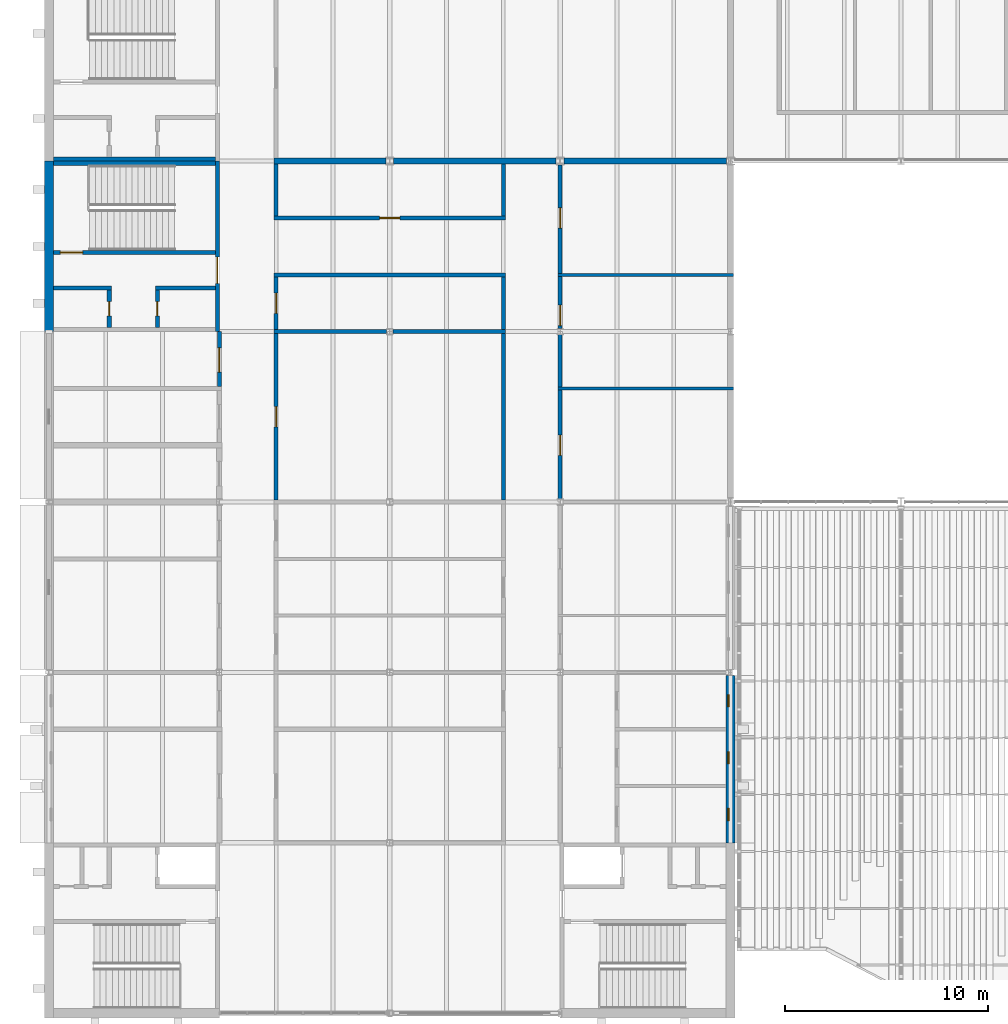
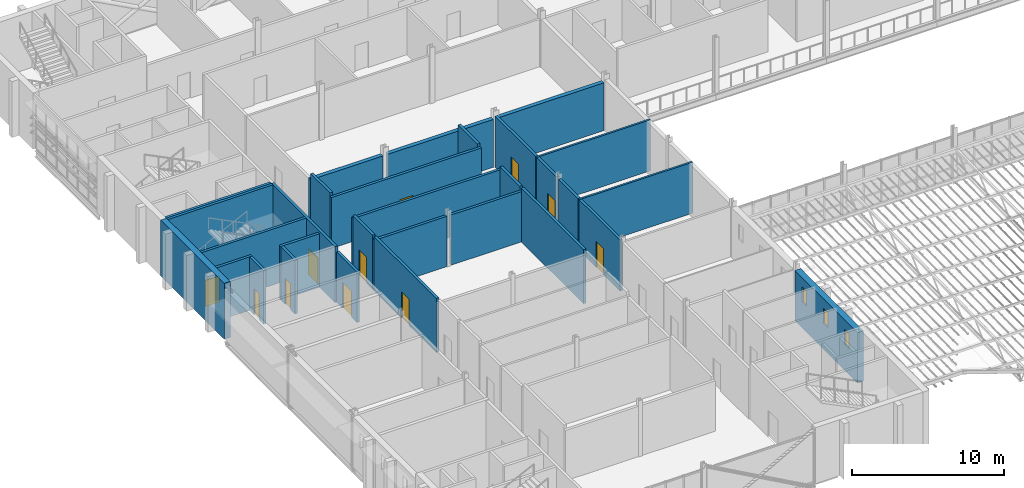
# One storey, part 86 of 129: 30 walls, 11 doors, 3 windows, 14 openings.
"""IFC4 building model written with IfcOpenShell, lengths in metres."""

from ifc_helpers import new_model, si_unit, direction, frame, frame_2d, origin, place, context, subcontext, project, spatial, rectangle, extrude, material, layer, layer_set, type_object, element, fill, save


model = new_model("IFC4")

# Units and contexts
model_context = context("Model", 3, precision=1e-05, world=origin(), true_north=direction((0.0, 1.0)))
body_context = subcontext(model_context, "Body", "Model", "MODEL_VIEW")
ifc_project = project(units=[si_unit("LENGTHUNIT", "METRE"), si_unit("AREAUNIT", "SQUARE_METRE"), si_unit("VOLUMEUNIT", "CUBIC_METRE"), si_unit("PLANEANGLEUNIT", "RADIAN"), si_unit("MASSUNIT", "GRAM", prefix="KILO")], contexts=[model_context])

# Site, building, storey
site_placement = place(None, origin())
site = spatial("IfcSite", under=ifc_project, at=site_placement, CompositionType="ELEMENT")
building_placement = place(site_placement, origin())
building = spatial("IfcBuilding", under=site, at=building_placement, Name="Ardhachandra Cancer Care Centre", CompositionType="ELEMENT")
storey_placement = place(building_placement, frame((0.0, 0.0, 4.5)))
storey = spatial("IfcBuildingStorey", under=building, at=storey_placement, Name="L01", CompositionType="ELEMENT", Elevation=4.5)

# Wall, openings, windows
ifc_material_1 = material(Name="Brick masonry (clay brick, cement mortar) with mineral wool cavity insulation", Category="masonry")
ifc_layer_1 = layer(ifc_material_1, 0.449951171875)
ifc_layer_set_1 = layer_set([ifc_layer_1], Name="Brick masonry (clay brick, cement mortar) with mineral wool cavity insulation")
wall_type_1 = type_object("IfcWallType", Name="Brick wall 450", PredefinedType="SOLIDWALL", material=ifc_layer_set_1)
wall_1_placement = place(storey_placement, frame((44.39990234375, 37.800048828125, 0.0), z_axis=(0.0, 0.0, 1.0), x_axis=(0.0, 1.0, 0.0)))
wall_1 = element("IfcWall", 1, at=wall_1_placement, inside=storey, type_object=wall_type_1, Name="E/wall/L01/e/0044400_0037800", PredefinedType="SOLIDWALL", context=body_context, shape_type="SweptSolid", body=[
    extrude(rectangle(XDim=8.2548828125, YDim=0.449951171875, at=frame_2d((4.12744140625, 0.0))), origin(), (0.0, 0.0, 1.0), 4.050048828125),
])
opening_1_placement = place(wall_1_placement, frame((1.10009765625, 0.0, 2.10009765625)))
opening_1 = element("IfcOpeningElement", 2, at=opening_1_placement, cuts=wall_1, Name="Opening W4", PredefinedType="OPENING", context=body_context, shape_type="SweptSolid", body=[
    extrude(rectangle(XDim=0.60009765625, YDim=1.199951171875, at=frame_2d((0.300048828125, 0.60009765625))), frame((0.0, 0.23486328125, 0.0), z_axis=(0.0, -1.0, 0.0), x_axis=(1.0, 0.0, 0.0)), (0.0, 0.0, 1.0), 0.469970703125),
])
opening_2_placement = place(wall_1_placement, frame((3.89990234375, 0.0, 2.10009765625)))
opening_2 = element("IfcOpeningElement", 3, at=opening_2_placement, cuts=wall_1, Name="Opening W4", PredefinedType="OPENING", context=body_context, shape_type="SweptSolid", body=[
    extrude(rectangle(XDim=0.60009765625, YDim=1.199951171875, at=frame_2d((0.300048828125, 0.60009765625))), frame((0.0, 0.23486328125, 0.0), z_axis=(0.0, -1.0, 0.0), x_axis=(1.0, 0.0, 0.0)), (0.0, 0.0, 1.0), 0.469970703125),
])
opening_3_placement = place(wall_1_placement, frame((6.699951171875, 0.0, 2.10009765625)))
opening_3 = element("IfcOpeningElement", 4, at=opening_3_placement, cuts=wall_1, Name="Opening W4", PredefinedType="OPENING", context=body_context, shape_type="SweptSolid", body=[
    extrude(rectangle(XDim=0.60009765625, YDim=1.199951171875, at=frame_2d((0.300048828125, 0.60009765625))), frame((0.0, 0.23486328125, 0.0), z_axis=(0.0, -1.0, 0.0), x_axis=(1.0, 0.0, 0.0)), (0.0, 0.0, 1.0), 0.469970703125),
])
ifc_material_2 = material(Name="Aluminium frame with double-glazed unit", Category="aluminium")
window_type = type_object("IfcWindowType", Name="Slot window 600 x 1200", PartitioningType="SINGLE_PANEL", PredefinedType="WINDOW", material=ifc_material_2)
window_1_placement = place(opening_1_placement, origin())
window_1 = element("IfcWindow", 5, at=window_1_placement, inside=storey, type_object=window_type, Name="W4 window L01 e/0044400_0037800 1", OverallHeight=1.199951171875, OverallWidth=0.60009765625, PartitioningType="SINGLE_PANEL", PredefinedType="WINDOW", context=body_context, shape_type="SweptSolid", body=[
    extrude(rectangle(XDim=0.60009765625, YDim=1.199951171875, at=frame_2d((0.300048828125, 0.60009765625))), frame((0.0, 0.135009765625, 0.0), z_axis=(0.0, -1.0, 0.0), x_axis=(1.0, 0.0, 0.0)), (0.0, 0.0, 1.0), 0.06005859375),
])
fill(opening_1, window_1)
window_2_placement = place(opening_2_placement, origin())
window_2 = element("IfcWindow", 6, at=window_2_placement, inside=storey, type_object=window_type, Name="W4 window L01 e/0044400_0037800 2", OverallHeight=1.199951171875, OverallWidth=0.60009765625, PartitioningType="SINGLE_PANEL", PredefinedType="WINDOW", context=body_context, shape_type="SweptSolid", body=[
    extrude(rectangle(XDim=0.60009765625, YDim=1.199951171875, at=frame_2d((0.300048828125, 0.60009765625))), frame((0.0, 0.135009765625, 0.0), z_axis=(0.0, -1.0, 0.0), x_axis=(1.0, 0.0, 0.0)), (0.0, 0.0, 1.0), 0.06005859375),
])
fill(opening_2, window_2)
window_3_placement = place(opening_3_placement, origin())
window_3 = element("IfcWindow", 7, at=window_3_placement, inside=storey, type_object=window_type, Name="W4 window L01 e/0044400_0037800 3", OverallHeight=1.199951171875, OverallWidth=0.60009765625, PartitioningType="SINGLE_PANEL", PredefinedType="WINDOW", context=body_context, shape_type="SweptSolid", body=[
    extrude(rectangle(XDim=0.60009765625, YDim=1.199951171875, at=frame_2d((0.300048828125, 0.60009765625))), frame((0.0, 0.135009765625, 0.0), z_axis=(0.0, -1.0, 0.0), x_axis=(1.0, 0.0, 0.0)), (0.0, 0.0, 1.0), 0.06005859375),
])
fill(opening_3, window_3)

# Walls
ifc_material_3 = material(Name="Brick masonry", Category="masonry")
ifc_layer_2 = layer(ifc_material_3, 0.300048828125)
ifc_layer_set_2 = layer_set([ifc_layer_2], Name="Brick masonry")
wall_type_2 = type_object("IfcWallType", Name="COMPARTMENT WALL 300", PredefinedType="SOLIDWALL", material=ifc_layer_set_2)
wall_2_placement = place(storey_placement, frame((21.89990234375, 71.39990234375, 0.0), z_axis=(0.0, 0.0, 1.0), x_axis=(1.0, 0.0, 0.0)))
element("IfcWall", 8, at=wall_2_placement, inside=storey, type_object=wall_type_2, Name="R/wall/L01/h0071400_0021900", PredefinedType="SOLIDWALL", context=body_context, shape_type="SweptSolid", body=[
    extrude(rectangle(XDim=5.504638671875, YDim=0.300048828125, at=frame_2d((2.75244140625, 0.0))), origin(), (0.0, 0.0, 1.0), 3.85009765625),
])
for number, where, z_axis, x_axis, name in (
    (9, (27.79541015625, 71.39990234375, 0.0), (0.0, 0.0, 1.0), (1.0, 0.0, 0.0), "R/wall/L01/h0071400_0027796"),
    (10, (36.195556640625, 71.39990234375, 0.0), (0.0, 0.0, 1.0), (1.0, 0.0, 0.0), "R/wall/L01/h0071400_0036196"),
):
    element("IfcWall", number, at=place(storey_placement, frame(where, z_axis=z_axis, x_axis=x_axis)), inside=storey, type_object=wall_type_2, Name=name, PredefinedType="SOLIDWALL", context=body_context, shape_type="SweptSolid", body=[
        extrude(rectangle(XDim=8.009033203125, YDim=0.300048828125, at=frame_2d((4.00439453125, 0.0))), origin(), (0.0, 0.0, 1.0), 3.85009765625),
    ])
ifc_material_4 = material(Name="Gypsum board corridor partition on steel studs", Category="steel")
ifc_layer_3 = layer(ifc_material_4, 0.199951171875)
ifc_layer_set_3 = layer_set([ifc_layer_3], Name="Gypsum board corridor partition on steel studs")
wall_type_3 = type_object("IfcWallType", Name="CORRIDOR WALL 200", PredefinedType="PARTITIONING", material=ifc_layer_set_3)
wall_3_placement = place(storey_placement, frame((21.89990234375, 65.800048828125, 0.0), z_axis=(0.0, 0.0, 1.0), x_axis=(1.0, 0.0, 0.0)))
element("IfcWall", 11, at=wall_3_placement, inside=storey, type_object=wall_type_3, Name="R/wall/L01/h0065800_0021900", PredefinedType="PARTITIONING", context=body_context, shape_type="SweptSolid", body=[
    extrude(rectangle(XDim=11.400146484375, YDim=0.199951171875, at=frame_2d((5.7001953125, 0.0))), origin(), (0.0, 0.0, 1.0), 4.10009765625),
])

# Wall, opening, door
wall_4_placement = place(storey_placement, frame((21.89990234375, 68.60009765625, 0.0), z_axis=(0.0, 0.0, 1.0), x_axis=(1.0, 0.0, 0.0)))
wall_4 = element("IfcWall", 12, at=wall_4_placement, inside=storey, type_object=wall_type_3, Name="R/wall/L01/h0068600_0021900", PredefinedType="PARTITIONING", context=body_context, shape_type="SweptSolid", body=[
    extrude(rectangle(XDim=11.400146484375, YDim=0.199951171875, at=frame_2d((5.7001953125, 0.0))), origin(), (0.0, 0.0, 1.0), 4.10009765625),
])
opening_4_placement = place(wall_4_placement, frame((5.199951171875, 0.0, 0.0)))
opening_4 = element("IfcOpeningElement", 13, at=opening_4_placement, cuts=wall_4, Name="Opening L01-0008", PredefinedType="OPENING", context=body_context, shape_type="SweptSolid", body=[
    extrude(rectangle(XDim=1.0, YDim=2.10009765625, at=frame_2d((0.5, 1.050048828125))), frame((0.0, 0.10986328125, 0.0), z_axis=(0.0, -1.0, 0.0), x_axis=(1.0, 0.0, 0.0)), (0.0, 0.0, 1.0), 0.219970703125),
])
ifc_material_5 = material(Name="Timber fire door with smoke seals", Category="wood")
door_type_1 = type_object("IfcDoorType", Name="FIRE DOOR SINGLE 1000x2100 FD30S", OperationType="NOTDEFINED", PredefinedType="DOOR", material=ifc_material_5)
door_1_placement = place(opening_4_placement, origin())
door_1 = element("IfcDoor", 14, at=door_1_placement, inside=storey, type_object=door_type_1, Name="Door L01-0008", OperationType="SINGLE_SWING_RIGHT", OverallHeight=2.10009765625, OverallWidth=1.0, PredefinedType="DOOR", context=body_context, shape_type="SweptSolid", body=[
    extrude(rectangle(XDim=1.0, YDim=2.10009765625, at=frame_2d((0.5, 1.050048828125))), frame((0.0, 0.02490234375, 0.0), z_axis=(0.0, -1.0, 0.0), x_axis=(1.0, 0.0, 0.0)), (0.0, 0.0, 1.0), 0.050048828125),
])
fill(opening_4, door_1)

wall_5_placement = place(storey_placement, frame((22.0, 63.10009765625, 0.0), z_axis=(0.0, 0.0, 1.0), x_axis=(0.0, 1.0, 0.0)))
wall_5 = element("IfcWall", 15, at=wall_5_placement, inside=storey, type_object=wall_type_3, Name="R/wall/L01/v0022000_0063100", PredefinedType="PARTITIONING", context=body_context, shape_type="SweptSolid", body=[
    extrude(rectangle(XDim=2.599853515625, YDim=0.199951171875, at=frame_2d((1.2998046875, 0.0))), origin(), (0.0, 0.0, 1.0), 4.35009765625),
])
opening_5_placement = place(wall_5_placement, frame((0.800048828125, 0.0, 0.0)))
opening_5 = element("IfcOpeningElement", 16, at=opening_5_placement, cuts=wall_5, Name="Opening L01-0055", PredefinedType="OPENING", context=body_context, shape_type="SweptSolid", body=[
    extrude(rectangle(XDim=1.0, YDim=2.10009765625, at=frame_2d((0.5, 1.050048828125))), frame((0.0, 0.10986328125, 0.0), z_axis=(0.0, -1.0, 0.0), x_axis=(1.0, 0.0, 0.0)), (0.0, 0.0, 1.0), 0.219970703125),
])
door_2_placement = place(opening_5_placement, origin())
door_2 = element("IfcDoor", 17, at=door_2_placement, inside=storey, type_object=door_type_1, Name="Door L01-0055", OperationType="SINGLE_SWING_RIGHT", OverallHeight=2.10009765625, OverallWidth=1.0, PredefinedType="DOOR", context=body_context, shape_type="SweptSolid", body=[
    extrude(rectangle(XDim=1.0, YDim=2.10009765625, at=frame_2d((0.5, 1.050048828125))), frame((0.0, 0.02490234375, 0.0), z_axis=(0.0, -1.0, 0.0), x_axis=(1.0, 0.0, 0.0)), (0.0, 0.0, 1.0), 0.050048828125),
])
fill(opening_5, door_2)

# Walls
wall_6_placement = place(storey_placement, frame((22.0, 68.699951171875, 0.0), z_axis=(0.0, 0.0, 1.0), x_axis=(0.0, 1.0, 0.0)))
element("IfcWall", 18, at=wall_6_placement, inside=storey, type_object=wall_type_3, Name="R/wall/L01/v0022000_0068700", PredefinedType="PARTITIONING", context=body_context, shape_type="SweptSolid", body=[
    extrude(rectangle(XDim=2.550048828125, YDim=0.199951171875, at=frame_2d((1.27490234375, 0.0))), origin(), (0.0, 0.0, 1.0), 4.35009765625),
])
wall_7_placement = place(storey_placement, frame((33.199951171875, 63.10009765625, 0.0), z_axis=(0.0, 0.0, 1.0), x_axis=(0.0, 1.0, 0.0)))
element("IfcWall", 19, at=wall_7_placement, inside=storey, type_object=wall_type_3, Name="R/wall/L01/v0033200_0063100", PredefinedType="PARTITIONING", context=body_context, shape_type="SweptSolid", body=[
    extrude(rectangle(XDim=2.599853515625, YDim=0.199951171875, at=frame_2d((1.2998046875, 0.0))), origin(), (0.0, 0.0, 1.0), 4.35009765625),
])
wall_8_placement = place(storey_placement, frame((33.199951171875, 68.699951171875, 0.0), z_axis=(0.0, 0.0, 1.0), x_axis=(0.0, 1.0, 0.0)))
element("IfcWall", 20, at=wall_8_placement, inside=storey, type_object=wall_type_3, Name="R/wall/L01/v0033200_0068700", PredefinedType="PARTITIONING", context=body_context, shape_type="SweptSolid", body=[
    extrude(rectangle(XDim=2.550048828125, YDim=0.199951171875, at=frame_2d((1.27490234375, 0.0))), origin(), (0.0, 0.0, 1.0), 4.35009765625),
])

# Wall, opening, door
wall_9_placement = place(storey_placement, frame((36.0, 54.75, 0.0), z_axis=(0.0, 0.0, 1.0), x_axis=(0.0, 1.0, 0.0)))
wall_9 = element("IfcWall", 21, at=wall_9_placement, inside=storey, type_object=wall_type_3, Name="R/wall/L01/v0036000_0054750", PredefinedType="PARTITIONING", context=body_context, shape_type="SweptSolid", body=[
    extrude(rectangle(XDim=5.375, YDim=0.199951171875, at=frame_2d((2.6875, 0.0))), origin(), (0.0, 0.0, 1.0), 4.10009765625),
])
opening_6_placement = place(wall_9_placement, frame((2.14990234375, 0.0, 0.0)))
opening_6 = element("IfcOpeningElement", 22, at=opening_6_placement, cuts=wall_9, Name="Opening L01-0062", PredefinedType="OPENING", context=body_context, shape_type="SweptSolid", body=[
    extrude(rectangle(XDim=1.0, YDim=2.10009765625, at=frame_2d((0.5, 1.050048828125))), frame((0.0, 0.10986328125, 0.0), z_axis=(0.0, -1.0, 0.0), x_axis=(1.0, 0.0, 0.0)), (0.0, 0.0, 1.0), 0.219970703125),
])
door_3_placement = place(opening_6_placement, origin())
door_3 = element("IfcDoor", 23, at=door_3_placement, inside=storey, type_object=door_type_1, Name="Door L01-0062", OperationType="SINGLE_SWING_LEFT", OverallHeight=2.10009765625, OverallWidth=1.0, PredefinedType="DOOR", context=body_context, shape_type="SweptSolid", body=[
    extrude(rectangle(XDim=1.0, YDim=2.10009765625, at=frame_2d((0.5, 1.050048828125))), frame((0.0, 0.02490234375, 0.0), z_axis=(0.0, -1.0, 0.0), x_axis=(1.0, 0.0, 0.0)), (0.0, 0.0, 1.0), 0.050048828125),
])
fill(opening_6, door_3)

# Wall
wall_10_placement = place(storey_placement, frame((36.0, 60.27490234375, 0.0), z_axis=(0.0, 0.0, 1.0), x_axis=(0.0, 1.0, 0.0)))
element("IfcWall", 24, at=wall_10_placement, inside=storey, type_object=wall_type_3, Name="R/wall/L01/v0036000_0060275", PredefinedType="PARTITIONING", context=body_context, shape_type="SweptSolid", body=[
    extrude(rectangle(XDim=2.5751953125, YDim=0.199951171875, at=frame_2d((1.28759765625, 0.0))), origin(), (0.0, 0.0, 1.0), 4.10009765625),
])

# Wall, opening, door
wall_11_placement = place(storey_placement, frame((36.0, 63.14990234375, 0.0), z_axis=(0.0, 0.0, 1.0), x_axis=(0.0, 1.0, 0.0)))
wall_11 = element("IfcWall", 25, at=wall_11_placement, inside=storey, type_object=wall_type_3, Name="R/wall/L01/v0036000_0063150", PredefinedType="PARTITIONING", context=body_context, shape_type="SweptSolid", body=[
    extrude(rectangle(XDim=2.5751953125, YDim=0.199951171875, at=frame_2d((1.28759765625, 0.0))), origin(), (0.0, 0.0, 1.0), 4.10009765625),
])
opening_7_placement = place(wall_11_placement, frame((0.14990234375, 0.0, 0.0)))
opening_7 = element("IfcOpeningElement", 26, at=opening_7_placement, cuts=wall_11, Name="Opening L01-0063", PredefinedType="OPENING", context=body_context, shape_type="SweptSolid", body=[
    extrude(rectangle(XDim=1.0, YDim=2.10009765625, at=frame_2d((0.5, 1.050048828125))), frame((0.0, 0.10986328125, 0.0), z_axis=(0.0, -1.0, 0.0), x_axis=(1.0, 0.0, 0.0)), (0.0, 0.0, 1.0), 0.219970703125),
])
door_4_placement = place(opening_7_placement, origin())
door_4 = element("IfcDoor", 27, at=door_4_placement, inside=storey, type_object=door_type_1, Name="Door L01-0063", OperationType="SINGLE_SWING_RIGHT", OverallHeight=2.10009765625, OverallWidth=1.0, PredefinedType="DOOR", context=body_context, shape_type="SweptSolid", body=[
    extrude(rectangle(XDim=1.0, YDim=2.10009765625, at=frame_2d((0.5, 1.050048828125))), frame((0.0, 0.02490234375, 0.0), z_axis=(0.0, -1.0, 0.0), x_axis=(1.0, 0.0, 0.0)), (0.0, 0.0, 1.0), 0.050048828125),
])
fill(opening_7, door_4)

wall_12_placement = place(storey_placement, frame((36.0, 65.875, 0.0), z_axis=(0.0, 0.0, 1.0), x_axis=(0.0, 1.0, 0.0)))
wall_12 = element("IfcWall", 28, at=wall_12_placement, inside=storey, type_object=wall_type_3, Name="R/wall/L01/v0036000_0065875", PredefinedType="PARTITIONING", context=body_context, shape_type="SweptSolid", body=[
    extrude(rectangle(XDim=5.32958984375, YDim=0.199951171875, at=frame_2d((2.664794921875, 0.0))), origin(), (0.0, 0.0, 1.0), 4.10009765625),
])
opening_8_placement = place(wall_12_placement, frame((2.22509765625, 0.0, 0.0)))
opening_8 = element("IfcOpeningElement", 29, at=opening_8_placement, cuts=wall_12, Name="Opening L01-0064", PredefinedType="OPENING", context=body_context, shape_type="SweptSolid", body=[
    extrude(rectangle(XDim=1.0, YDim=2.10009765625, at=frame_2d((0.5, 1.050048828125))), frame((0.0, 0.10986328125, 0.0), z_axis=(0.0, -1.0, 0.0), x_axis=(1.0, 0.0, 0.0)), (0.0, 0.0, 1.0), 0.219970703125),
])
door_5_placement = place(opening_8_placement, origin())
door_5 = element("IfcDoor", 30, at=door_5_placement, inside=storey, type_object=door_type_1, Name="Door L01-0064", OperationType="SINGLE_SWING_LEFT", OverallHeight=2.10009765625, OverallWidth=1.0, PredefinedType="DOOR", context=body_context, shape_type="SweptSolid", body=[
    extrude(rectangle(XDim=1.0, YDim=2.10009765625, at=frame_2d((0.5, 1.050048828125))), frame((0.0, 0.02490234375, 0.0), z_axis=(0.0, -1.0, 0.0), x_axis=(1.0, 0.0, 0.0)), (0.0, 0.0, 1.0), 0.050048828125),
])
fill(opening_8, door_5)

# Wall
ifc_material_6 = material(Name="Concrete M40", Category="concrete")
ifc_layer_4 = layer(ifc_material_6, 0.449951171875)
ifc_layer_set_4 = layer_set([ifc_layer_4], Name="Concrete M40")
wall_type_4 = type_object("IfcWallType", Name="Core exterior wall RC 450", PredefinedType="SOLIDWALL", material=ifc_layer_set_4)
wall_13_placement = place(storey_placement, frame((10.800048828125, 71.39990234375, 0.0), z_axis=(0.0, 0.0, 1.0), x_axis=(0.0, -1.0, 0.0)))
element("IfcWall", 31, at=wall_13_placement, inside=storey, type_object=wall_type_4, Name="Core wall K3 FAR", PredefinedType="SOLIDWALL", context=body_context, shape_type="SweptSolid", body=[
    extrude(rectangle(XDim=8.39990234375, YDim=0.449951171875, at=frame_2d((4.199951171875, 0.0))), origin(), (0.0, 0.0, 1.0), 4.5),
])

# Wall, opening, door
ifc_material_7 = material(Name="Concrete M40", Category="concrete")
ifc_layer_5 = layer(ifc_material_7, 0.199951171875)
ifc_layer_set_5 = layer_set([ifc_layer_5], Name="Concrete M40")
wall_type_5 = type_object("IfcWallType", Name="Core wall RC 200", PredefinedType="SOLIDWALL", material=ifc_layer_set_5)
wall_14_placement = place(storey_placement, frame((19.10009765625, 71.39990234375, 0.0), z_axis=(0.0, 0.0, 1.0), x_axis=(0.0, -1.0, 0.0)))
wall_14 = element("IfcWall", 32, at=wall_14_placement, inside=storey, type_object=wall_type_5, Name="Core wall K3 ENT", PredefinedType="SOLIDWALL", context=body_context, shape_type="SweptSolid", body=[
    extrude(rectangle(XDim=8.39990234375, YDim=0.199951171875, at=frame_2d((4.199951171875, 0.0))), origin(), (0.0, 0.0, 1.0), 4.5),
])
opening_9_placement = place(wall_14_placement, frame((4.72509765625, 0.0, 0.0)))
opening_9 = element("IfcOpeningElement", 33, at=opening_9_placement, cuts=wall_14, Name="Opening L01-K03-1", PredefinedType="OPENING", context=body_context, shape_type="SweptSolid", body=[
    extrude(rectangle(XDim=1.300048828125, YDim=2.10009765625, at=frame_2d((0.64990234375, 1.050048828125))), frame((0.0, 0.10986328125, 0.0), z_axis=(0.0, -1.0, 0.0), x_axis=(1.0, 0.0, 0.0)), (0.0, 0.0, 1.0), 0.219970703125),
])
ifc_material_8 = material(Name="Steel door set", Category="steel")
door_type_2 = type_object("IfcDoorType", Name="Core entry double door 1300x2100 FD60", OperationType="DOUBLE_DOOR_DOUBLE_SWING", PredefinedType="DOOR", material=ifc_material_8)
door_6_placement = place(opening_9_placement, origin())
door_6 = element("IfcDoor", 34, at=door_6_placement, inside=storey, type_object=door_type_2, Name="Core entry door", OperationType="DOUBLE_DOOR_DOUBLE_SWING", OverallHeight=2.10009765625, OverallWidth=1.300048828125, PredefinedType="DOOR", context=body_context, shape_type="SweptSolid", body=[
    extrude(rectangle(XDim=1.300048828125, YDim=2.10009765625, at=frame_2d((0.64990234375, 1.050048828125))), frame((0.0, 0.02490234375, 0.0), z_axis=(0.0, -1.0, 0.0), x_axis=(1.0, 0.0, 0.0)), (0.0, 0.0, 1.0), 0.050048828125),
])
fill(opening_9, door_6)

# Wall
wall_15_placement = place(storey_placement, frame((19.0, 71.300048828125, 0.0), z_axis=(0.0, 0.0, 1.0), x_axis=(-1.0, 0.0, 0.0)))
element("IfcWall", 35, at=wall_15_placement, inside=storey, type_object=wall_type_5, Name="Core wall K3 UW", PredefinedType="SOLIDWALL", context=body_context, shape_type="SweptSolid", body=[
    extrude(rectangle(XDim=7.97509765625, YDim=0.199951171875, at=frame_2d((3.987548828125, 0.0))), origin(), (0.0, 0.0, 1.0), 4.5),
])

# Wall, opening, door
wall_16_placement = place(storey_placement, frame((19.0, 66.89990234375, 0.0), z_axis=(0.0, 0.0, 1.0), x_axis=(-1.0, 0.0, 0.0)))
wall_16 = element("IfcWall", 36, at=wall_16_placement, inside=storey, type_object=wall_type_5, Name="Core wall K3 P1", PredefinedType="SOLIDWALL", context=body_context, shape_type="SweptSolid", body=[
    extrude(rectangle(XDim=7.97509765625, YDim=0.199951171875, at=frame_2d((3.987548828125, 0.0))), origin(), (0.0, 0.0, 1.0), 4.5),
])
opening_10_placement = place(wall_16_placement, frame((6.53759765625, 0.0, 0.0)))
opening_10 = element("IfcOpeningElement", 37, at=opening_10_placement, cuts=wall_16, Name="Opening L01-K03-2", PredefinedType="OPENING", context=body_context, shape_type="SweptSolid", body=[
    extrude(rectangle(XDim=1.10009765625, YDim=2.10009765625, at=frame_2d((0.550048828125, 1.050048828125))), frame((0.0, 0.10986328125, 0.0), z_axis=(0.0, -1.0, 0.0), x_axis=(1.0, 0.0, 0.0)), (0.0, 0.0, 1.0), 0.219970703125),
])
ifc_material_9 = material(Name="Steel door set", Category="steel")
door_type_3 = type_object("IfcDoorType", Name="Stair door 1100x2100 FD60S", OperationType="NOTDEFINED", PredefinedType="DOOR", material=ifc_material_9)
door_7_placement = place(opening_10_placement, origin())
door_7 = element("IfcDoor", 38, at=door_7_placement, inside=storey, type_object=door_type_3, Name="Stair door", OperationType="SINGLE_SWING_LEFT", OverallHeight=2.10009765625, OverallWidth=1.10009765625, PredefinedType="DOOR", context=body_context, shape_type="SweptSolid", body=[
    extrude(rectangle(XDim=1.10009765625, YDim=2.10009765625, at=frame_2d((0.550048828125, 1.050048828125))), frame((0.0, 0.02490234375, 0.0), z_axis=(0.0, -1.0, 0.0), x_axis=(1.0, 0.0, 0.0)), (0.0, 0.0, 1.0), 0.050048828125),
])
fill(opening_10, door_7)

# Walls
wall_17_placement = place(storey_placement, frame((19.0, 65.14990234375, 0.0), z_axis=(0.0, 0.0, 1.0), x_axis=(-1.0, 0.0, 0.0)))
element("IfcWall", 39, at=wall_17_placement, inside=storey, type_object=wall_type_5, Name="Core wall K3 P2A", PredefinedType="SOLIDWALL", context=body_context, shape_type="SweptSolid", body=[
    extrude(rectangle(XDim=2.949951171875, YDim=0.199951171875, at=frame_2d((1.47509765625, 0.0))), origin(), (0.0, 0.0, 1.0), 4.300048828125),
])
wall_18_placement = place(storey_placement, frame((13.875, 65.14990234375, 0.0), z_axis=(0.0, 0.0, 1.0), x_axis=(-1.0, 0.0, 0.0)))
element("IfcWall", 40, at=wall_18_placement, inside=storey, type_object=wall_type_5, Name="Core wall K3 P2B", PredefinedType="SOLIDWALL", context=body_context, shape_type="SweptSolid", body=[
    extrude(rectangle(XDim=2.85009765625, YDim=0.199951171875, at=frame_2d((1.425048828125, 0.0))), origin(), (0.0, 0.0, 1.0), 4.300048828125),
])

# Wall, opening, door
wall_19_placement = place(storey_placement, frame((16.14990234375, 65.050048828125, 0.0), z_axis=(0.0, 0.0, 1.0), x_axis=(0.0, -1.0, 0.0)))
wall_19 = element("IfcWall", 41, at=wall_19_placement, inside=storey, type_object=wall_type_5, Name="Core wall K3 W1", PredefinedType="SOLIDWALL", context=body_context, shape_type="SweptSolid", body=[
    extrude(rectangle(XDim=1.85009765625, YDim=0.199951171875, at=frame_2d((0.925048828125, 0.0))), origin(), (0.0, 0.0, 1.0), 4.300048828125),
])
opening_11_placement = place(wall_19_placement, frame((0.574951171875, 0.0, 0.0)))
opening_11 = element("IfcOpeningElement", 42, at=opening_11_placement, cuts=wall_19, Name="Opening L01-K03-3", PredefinedType="OPENING", context=body_context, shape_type="SweptSolid", body=[
    extrude(rectangle(XDim=0.699951171875, YDim=2.10009765625, at=frame_2d((0.35009765625, 1.050048828125))), frame((0.0, 0.10986328125, 0.0), z_axis=(0.0, -1.0, 0.0), x_axis=(1.0, 0.0, 0.0)), (0.0, 0.0, 1.0), 0.219970703125),
])
ifc_material_10 = material(Name="Steel door set", Category="steel")
door_type_4 = type_object("IfcDoorType", Name="Riser access door 700x2100 FD120S", OperationType="NOTDEFINED", PredefinedType="DOOR", material=ifc_material_10)
door_8_placement = place(opening_11_placement, origin())
door_8 = element("IfcDoor", 43, at=door_8_placement, inside=storey, type_object=door_type_4, Name="Riser access door", OperationType="SINGLE_SWING_RIGHT", OverallHeight=2.10009765625, OverallWidth=0.699951171875, PredefinedType="DOOR", context=body_context, shape_type="SweptSolid", body=[
    extrude(rectangle(XDim=0.699951171875, YDim=2.10009765625, at=frame_2d((0.35009765625, 1.050048828125))), frame((0.0, 0.02490234375, 0.0), z_axis=(0.0, -1.0, 0.0), x_axis=(1.0, 0.0, 0.0)), (0.0, 0.0, 1.0), 0.050048828125),
])
fill(opening_11, door_8)

wall_20_placement = place(storey_placement, frame((13.77490234375, 65.050048828125, 0.0), z_axis=(0.0, 0.0, 1.0), x_axis=(0.0, -1.0, 0.0)))
wall_20 = element("IfcWall", 44, at=wall_20_placement, inside=storey, type_object=wall_type_5, Name="Core wall K3 W2", PredefinedType="SOLIDWALL", context=body_context, shape_type="SweptSolid", body=[
    extrude(rectangle(XDim=1.85009765625, YDim=0.199951171875, at=frame_2d((0.925048828125, 0.0))), origin(), (0.0, 0.0, 1.0), 4.300048828125),
])
opening_12_placement = place(wall_20_placement, frame((0.574951171875, 0.0, 0.0)))
opening_12 = element("IfcOpeningElement", 45, at=opening_12_placement, cuts=wall_20, Name="Opening L01-K03-4", PredefinedType="OPENING", context=body_context, shape_type="SweptSolid", body=[
    extrude(rectangle(XDim=0.699951171875, YDim=2.10009765625, at=frame_2d((0.35009765625, 1.050048828125))), frame((0.0, 0.10986328125, 0.0), z_axis=(0.0, -1.0, 0.0), x_axis=(1.0, 0.0, 0.0)), (0.0, 0.0, 1.0), 0.219970703125),
])
door_9_placement = place(opening_12_placement, origin())
door_9 = element("IfcDoor", 46, at=door_9_placement, inside=storey, type_object=door_type_4, Name="Riser access door", OperationType="SINGLE_SWING_RIGHT", OverallHeight=2.10009765625, OverallWidth=0.699951171875, PredefinedType="DOOR", context=body_context, shape_type="SweptSolid", body=[
    extrude(rectangle(XDim=0.699951171875, YDim=2.10009765625, at=frame_2d((0.35009765625, 1.050048828125))), frame((0.0, 0.02490234375, 0.0), z_axis=(0.0, -1.0, 0.0), x_axis=(1.0, 0.0, 0.0)), (0.0, 0.0, 1.0), 0.050048828125),
])
fill(opening_12, door_9)

# Wall
wall_21_placement = place(storey_placement, frame((19.0, 71.5, 0.0), z_axis=(0.0, 0.0, 1.0), x_axis=(-1.0, 0.0, 0.0)))
element("IfcWall", 47, at=wall_21_placement, inside=storey, type_object=wall_type_5, Name="Core wall K6 UE", PredefinedType="SOLIDWALL", context=body_context, shape_type="SweptSolid", body=[
    extrude(rectangle(XDim=7.97509765625, YDim=0.199951171875, at=frame_2d((3.987548828125, 0.0))), origin(), (0.0, 0.0, 1.0), 4.5),
])

# Wall, opening, door
ifc_material_11 = material(Name="Lead-lined gypsum board partition")
ifc_layer_6 = layer(ifc_material_11, 0.199951171875)
ifc_layer_set_6 = layer_set([ifc_layer_6], Name="Lead-lined gypsum board partition")
wall_type_6 = type_object("IfcWallType", Name="LEAD-LINED PARTITION 200", PredefinedType="PARTITIONING", material=ifc_layer_set_6)
wall_22_placement = place(storey_placement, frame((19.199951171875, 60.300048828125, 0.0), z_axis=(0.0, 0.0, 1.0), x_axis=(0.0, 1.0, 0.0)))
wall_22 = element("IfcWall", 48, at=wall_22_placement, inside=storey, type_object=wall_type_6, Name="R/wall/L01/v0019200_0060300", PredefinedType="PARTITIONING", context=body_context, shape_type="SweptSolid", body=[
    extrude(rectangle(XDim=2.699951171875, YDim=0.199951171875, at=frame_2d((1.35009765625, 0.0))), origin(), (0.0, 0.0, 1.0), 4.0439453125),
])
opening_13_placement = place(wall_22_placement, frame((0.699951171875, 0.0, 0.0)))
opening_13 = element("IfcOpeningElement", 49, at=opening_13_placement, cuts=wall_22, Name="Opening L01-0050", PredefinedType="OPENING", context=body_context, shape_type="SweptSolid", body=[
    extrude(rectangle(XDim=1.199951171875, YDim=2.10009765625, at=frame_2d((0.60009765625, 1.050048828125))), frame((0.0, 0.10986328125, 0.0), z_axis=(0.0, -1.0, 0.0), x_axis=(1.0, 0.0, 0.0)), (0.0, 0.0, 1.0), 0.219970703125),
])
ifc_material_12 = material(Name="Lead-lined timber door", Category="wood")
door_type_5 = type_object("IfcDoorType", Name="LEAD-LINED DOOR 1200x2100 FD60", OperationType="NOTDEFINED", PredefinedType="DOOR", material=ifc_material_12)
door_10_placement = place(opening_13_placement, origin())
door_10 = element("IfcDoor", 50, at=door_10_placement, inside=storey, type_object=door_type_5, Name="Door L01-0050", OperationType="SINGLE_SWING_LEFT", OverallHeight=2.10009765625, OverallWidth=1.199951171875, PredefinedType="DOOR", context=body_context, shape_type="SweptSolid", body=[
    extrude(rectangle(XDim=1.199951171875, YDim=2.10009765625, at=frame_2d((0.60009765625, 1.050048828125))), frame((0.0, 0.02490234375, 0.0), z_axis=(0.0, -1.0, 0.0), x_axis=(1.0, 0.0, 0.0)), (0.0, 0.0, 1.0), 0.050048828125),
])
fill(opening_13, door_10)

# Walls
ifc_material_13 = material(Name="Gypsum board partition on steel studs", Category="steel")
ifc_layer_7 = layer(ifc_material_13, 0.14990234375)
ifc_layer_set_7 = layer_set([ifc_layer_7], Name="Gypsum board partition on steel studs")
wall_type_7 = type_object("IfcWallType", Name="PARTITION 150", PredefinedType="PARTITIONING", material=ifc_layer_set_7)
for number, where, z_axis, x_axis, name in (
    (51, (35.89990234375, 60.199951171875, 0.0), (0.0, 0.0, 1.0), (1.0, 0.0, 0.0), "R/wall/L01/h0060200_0035900"),
    (52, (35.89990234375, 65.800048828125, 0.0), (0.0, 0.0, 1.0), (1.0, 0.0, 0.0), "R/wall/L01/h0065800_0035900"),
):
    element("IfcWall", number, at=place(storey_placement, frame(where, z_axis=z_axis, x_axis=x_axis)), inside=storey, type_object=wall_type_7, Name=name, PredefinedType="PARTITIONING", context=body_context, shape_type="SweptSolid", body=[
        extrude(rectangle(XDim=8.650146484375, YDim=0.14990234375, at=frame_2d((4.3251953125, 0.0))), origin(), (0.0, 0.0, 1.0), 4.10009765625),
    ])
ifc_material_14 = material(Name="Brick masonry", Category="masonry")
ifc_layer_8 = layer(ifc_material_14, 0.199951171875)
ifc_layer_set_8 = layer_set([ifc_layer_8], Name="Brick masonry")
wall_type_8 = type_object("IfcWallType", Name="PLANT ROOM WALL 200", PredefinedType="SOLIDWALL", material=ifc_layer_set_8)
for number, where, z_axis, x_axis, name in (
    (53, (21.89990234375, 63.0, 0.0), (0.0, 0.0, 1.0), (1.0, 0.0, 0.0), "R/wall/L01/h0063000_0021900"),
    (54, (27.75, 63.0, 0.0), (0.0, 0.0, 1.0), (1.0, 0.0, 0.0), "R/wall/L01/h0063000_0027750"),
):
    element("IfcWall", number, at=place(storey_placement, frame(where, z_axis=z_axis, x_axis=x_axis)), inside=storey, type_object=wall_type_8, Name=name, PredefinedType="SOLIDWALL", context=body_context, shape_type="SweptSolid", body=[
        extrude(rectangle(XDim=5.550048828125, YDim=0.199951171875, at=frame_2d((2.77490234375, 0.0))), origin(), (0.0, 0.0, 1.0), 4.0439453125),
    ])

# Wall, opening, door
wall_23_placement = place(storey_placement, frame((22.0, 54.699951171875, 0.0), z_axis=(0.0, 0.0, 1.0), x_axis=(0.0, 1.0, 0.0)))
wall_23 = element("IfcWall", 55, at=wall_23_placement, inside=storey, type_object=wall_type_8, Name="R/wall/L01/v0022000_0054700", PredefinedType="SOLIDWALL", context=body_context, shape_type="SweptSolid", body=[
    extrude(rectangle(XDim=8.199951171875, YDim=0.199951171875, at=frame_2d((4.10009765625, 0.0))), origin(), (0.0, 0.0, 1.0), 4.35009765625),
])
opening_14_placement = place(wall_23_placement, frame((3.60009765625, 0.0, 0.0)))
opening_14 = element("IfcOpeningElement", 56, at=opening_14_placement, cuts=wall_23, Name="Opening L01-0054", PredefinedType="OPENING", context=body_context, shape_type="SweptSolid", body=[
    extrude(rectangle(XDim=1.0, YDim=2.10009765625, at=frame_2d((0.5, 1.050048828125))), frame((0.0, 0.10986328125, 0.0), z_axis=(0.0, -1.0, 0.0), x_axis=(1.0, 0.0, 0.0)), (0.0, 0.0, 1.0), 0.219970703125),
])
ifc_material_15 = material(Name="Steel fire door", Category="steel")
door_type_6 = type_object("IfcDoorType", Name="FIRE DOOR SINGLE 1000x2100 FD60", OperationType="NOTDEFINED", PredefinedType="DOOR", material=ifc_material_15)
door_11_placement = place(opening_14_placement, origin())
door_11 = element("IfcDoor", 57, at=door_11_placement, inside=storey, type_object=door_type_6, Name="Door L01-0054", OperationType="SINGLE_SWING_LEFT", OverallHeight=2.10009765625, OverallWidth=1.0, PredefinedType="DOOR", context=body_context, shape_type="SweptSolid", body=[
    extrude(rectangle(XDim=1.0, YDim=2.10009765625, at=frame_2d((0.5, 1.050048828125))), frame((0.0, 0.02490234375, 0.0), z_axis=(0.0, -1.0, 0.0), x_axis=(1.0, 0.0, 0.0)), (0.0, 0.0, 1.0), 0.050048828125),
])
fill(opening_14, door_11)

# Wall
wall_24_placement = place(storey_placement, frame((33.199951171875, 54.699951171875, 0.0), z_axis=(0.0, 0.0, 1.0), x_axis=(0.0, 1.0, 0.0)))
element("IfcWall", 58, at=wall_24_placement, inside=storey, type_object=wall_type_8, Name="R/wall/L01/v0033200_0054700", PredefinedType="SOLIDWALL", context=body_context, shape_type="SweptSolid", body=[
    extrude(rectangle(XDim=8.199951171875, YDim=0.199951171875, at=frame_2d((4.10009765625, 0.0))), origin(), (0.0, 0.0, 1.0), 4.35009765625),
])

save(model, "model.ifc")
